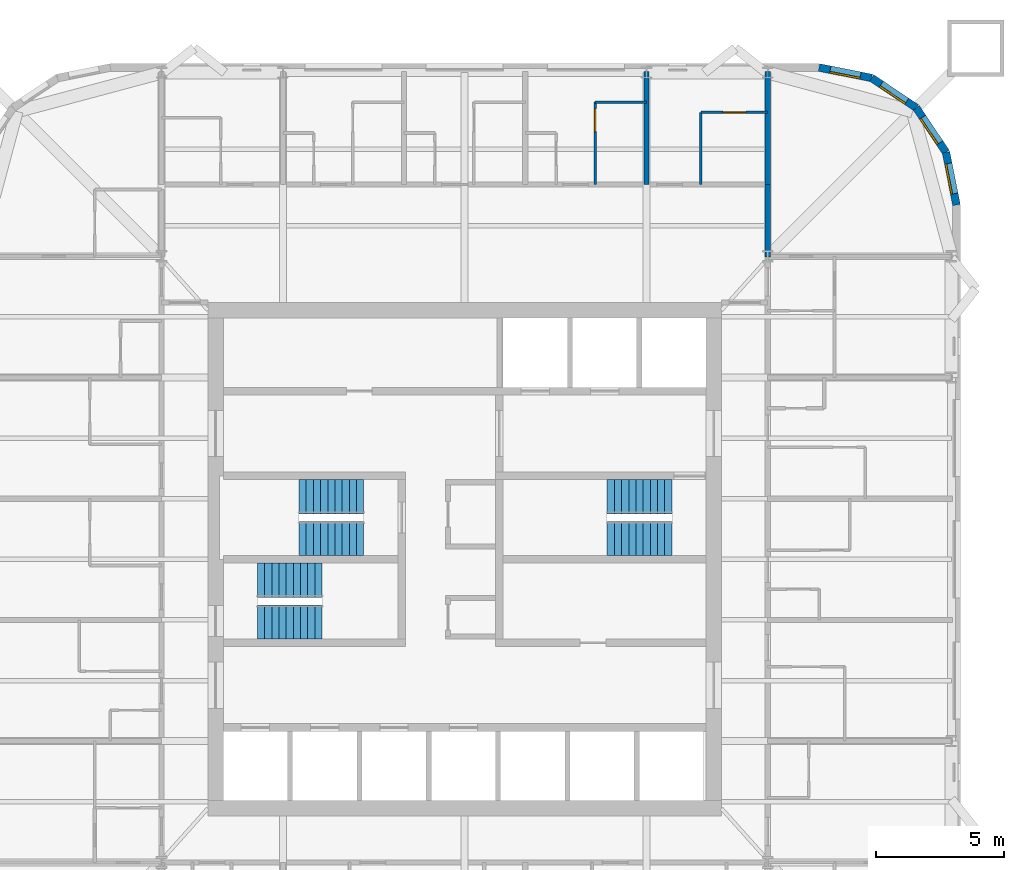
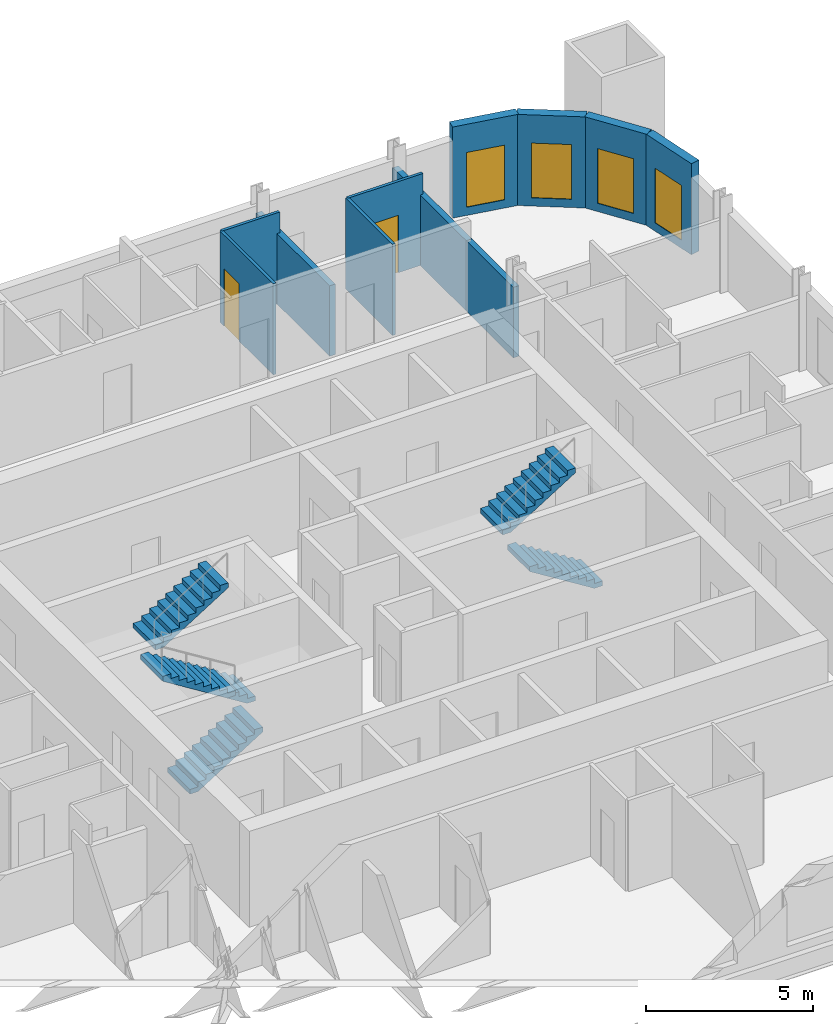
# One storey, part 8 of 9: 11 walls, 6 stair flights, 4 windows, 2 doors, 6 openings, 3 elements without a shape of their own.
"""IFC4 building model written with IfcOpenShell, lengths in metres."""

from ifc_helpers import new_model, si_unit, direction, frame, frame_2d, origin, place, context, subcontext, project, spatial, polyline, rectangle, outline, extrude, material, layer, layer_set, type_object, element, fill, aggregate, save


model = new_model("IFC4")

# Units and contexts
model_context = context("Model", 3, precision=1e-05, world=origin(), true_north=direction((0.0, 1.0)))
body_context = subcontext(model_context, "Body", "Model", "MODEL_VIEW")
ifc_project = project(units=[si_unit("LENGTHUNIT", "METRE"), si_unit("AREAUNIT", "SQUARE_METRE"), si_unit("VOLUMEUNIT", "CUBIC_METRE"), si_unit("PLANEANGLEUNIT", "RADIAN"), si_unit("MASSUNIT", "GRAM", prefix="KILO")], contexts=[model_context])

# Site, building, storey
site_placement = place(None, origin())
site = spatial("IfcSite", under=ifc_project, at=site_placement, CompositionType="ELEMENT")
building_placement = place(site_placement, origin())
building = spatial("IfcBuilding", under=site, at=building_placement, Name="Turquesa Mirador Hotel Tower", CompositionType="ELEMENT")
storey_placement = place(building_placement, frame((0.0, 0.0, 175.800048828125)))
storey = spatial("IfcBuildingStorey", under=building, at=storey_placement, Name="L47", CompositionType="ELEMENT", Elevation=175.800048828125)

# Wall, opening, door
ifc_material_1 = material(Name="Gypsum board on steel studs", Category="steel")
ifc_layer_1 = layer(ifc_material_1, 0.10009765625)
ifc_layer_set_1 = layer_set([ifc_layer_1], Name="BATHROOM WALL 100")
wall_type_1 = type_object("IfcWallType", Name="BATHROOM WALL 100", PredefinedType="PARTITIONING", material=ifc_layer_set_1)
wall_1_placement = place(storey_placement, frame((64.199951171875, 62.39990234375, 0.0), z_axis=(0.0, 0.0, 1.0), x_axis=(1.0, 0.0, 0.0)))
wall_1 = element("IfcWall", 1, at=wall_1_placement, inside=storey, type_object=wall_type_1, Name="Partition L47 035", PredefinedType="PARTITIONING", context=body_context, shape_type="SweptSolid", body=[
    extrude(rectangle(XDim=2.60009765625, YDim=0.10009765625, at=frame_2d((1.300048828125, 0.0))), origin(), (0.0, 0.0, 1.0), 3.329833984375),
])
opening_1_placement = place(wall_1_placement, frame((0.85009765625, 0.0, 0.0)))
opening_1 = element("IfcOpeningElement", 2, at=opening_1_placement, cuts=wall_1, Name="Opening D02", PredefinedType="OPENING", context=body_context, shape_type="SweptSolid", body=[
    extrude(rectangle(XDim=0.89990234375, YDim=2.10009765625, at=frame_2d((0.449951171875, 1.050048828125))), frame((0.0, 0.06005859375, 0.0), z_axis=(0.0, -1.0, 0.0), x_axis=(1.0, 0.0, 0.0)), (0.0, 0.0, 1.0), 0.1201171875),
])
ifc_material_2 = material(Name="Timber veneered door", Category="wood")
door_type = type_object("IfcDoorType", Name="DOOR 900X2100 EN-SUITE", OperationType="SINGLE_SWING_RIGHT", PredefinedType="DOOR", material=ifc_material_2)
door_1_placement = place(opening_1_placement, origin())
door_1 = element("IfcDoor", 3, at=door_1_placement, inside=storey, type_object=door_type, Name="Door 4705B", OperationType="SINGLE_SWING_RIGHT", OverallHeight=2.10009765625, OverallWidth=0.89990234375, PredefinedType="DOOR", context=body_context, shape_type="SweptSolid", body=[
    extrude(rectangle(XDim=0.89990234375, YDim=2.10009765625, at=frame_2d((0.449951171875, 1.050048828125))), frame((0.0, 0.02490234375, 0.0), z_axis=(0.0, -1.0, 0.0), x_axis=(1.0, 0.0, 0.0)), (0.0, 0.0, 1.0), 0.050048828125),
])
fill(opening_1, door_1)

# Wall
wall_2_placement = place(storey_placement, frame((60.080078125, 62.800048828125, 0.0), z_axis=(0.0, 0.0, 1.0), x_axis=(1.0, 0.0, 0.0)))
element("IfcWall", 4, at=wall_2_placement, inside=storey, type_object=wall_type_1, Name="Partition L47 038", PredefinedType="PARTITIONING", context=body_context, shape_type="SweptSolid", body=[
    extrude(rectangle(XDim=2.0, YDim=0.10009765625, at=frame_2d((1.0, 0.0))), origin(), (0.0, 0.0, 1.0), 3.329833984375),
])

# Wall, opening, door
wall_3_placement = place(storey_placement, frame((60.080078125, 59.60009765625, 0.0), z_axis=(0.0, 0.0, 1.0), x_axis=(0.0, 1.0, 0.0)))
wall_3 = element("IfcWall", 5, at=wall_3_placement, inside=storey, type_object=wall_type_1, Name="Partition L47 089", PredefinedType="PARTITIONING", context=body_context, shape_type="SweptSolid", body=[
    extrude(rectangle(XDim=3.199951171875, YDim=0.10009765625, at=frame_2d((1.60009765625, 0.0))), origin(), (0.0, 0.0, 1.0), 3.329833984375),
])
opening_2_placement = place(wall_3_placement, frame((2.050048828125, 0.0, 0.0)))
opening_2 = element("IfcOpeningElement", 6, at=opening_2_placement, cuts=wall_3, Name="Opening D02", PredefinedType="OPENING", context=body_context, shape_type="SweptSolid", body=[
    extrude(rectangle(XDim=0.89990234375, YDim=2.10009765625, at=frame_2d((0.449951171875, 1.050048828125))), frame((0.0, 0.06005859375, 0.0), z_axis=(0.0, -1.0, 0.0), x_axis=(1.0, 0.0, 0.0)), (0.0, 0.0, 1.0), 0.1201171875),
])
door_2_placement = place(opening_2_placement, origin())
door_2 = element("IfcDoor", 7, at=door_2_placement, inside=storey, type_object=door_type, Name="Door 4704B", OperationType="SINGLE_SWING_RIGHT", OverallHeight=2.10009765625, OverallWidth=0.89990234375, PredefinedType="DOOR", context=body_context, shape_type="SweptSolid", body=[
    extrude(rectangle(XDim=0.89990234375, YDim=2.10009765625, at=frame_2d((0.449951171875, 1.050048828125))), frame((0.0, 0.02490234375, 0.0), z_axis=(0.0, -1.0, 0.0), x_axis=(1.0, 0.0, 0.0)), (0.0, 0.0, 1.0), 0.050048828125),
])
fill(opening_2, door_2)

# Walls
wall_4_placement = place(storey_placement, frame((64.199951171875, 59.60009765625, 0.0), z_axis=(0.0, 0.0, 1.0), x_axis=(0.0, 1.0, 0.0)))
element("IfcWall", 8, at=wall_4_placement, inside=storey, type_object=wall_type_1, Name="Partition L47 091", PredefinedType="PARTITIONING", context=body_context, shape_type="SweptSolid", body=[
    extrude(rectangle(XDim=2.7998046875, YDim=0.10009765625, at=frame_2d((1.39990234375, 0.0))), origin(), (0.0, 0.0, 1.0), 3.329833984375),
])
ifc_material_3 = material(Name="Fire-rated gypsum board on steel studs", Category="steel")
ifc_layer_2 = layer(ifc_material_3, 0.199951171875)
ifc_layer_set_2 = layer_set([ifc_layer_2], Name="CORRIDOR WALL 200")
wall_type_2 = type_object("IfcWallType", Name="CORRIDOR WALL 200", PredefinedType="PARTITIONING", material=ifc_layer_set_2)
wall_5_placement = place(storey_placement, frame((66.800048828125, 56.780029296875, 0.0), z_axis=(0.0, 0.0, 1.0), x_axis=(0.0, 1.0, 0.0)))
element("IfcWall", 9, at=wall_5_placement, inside=storey, type_object=wall_type_2, Name="Partition L47 093", PredefinedType="PARTITIONING", context=body_context, shape_type="SweptSolid", body=[
    extrude(rectangle(XDim=2.820068359375, YDim=0.199951171875, at=frame_2d((1.41015625, 0.0))), origin(), (0.0, 0.0, 1.0), 2.572998046875),
])

# Wall, opening, window
ifc_material_4 = material(Name="Limestone cladding on concrete block", Category="masonry")
ifc_layer_3 = layer(ifc_material_4, 0.300048828125)
ifc_layer_set_3 = layer_set([ifc_layer_3], Name="FACADE WALL 300 STONE SCREEN")
wall_type_3 = type_object("IfcWallType", Name="FACADE WALL 300 STONE SCREEN", PredefinedType="SOLIDWALL", material=ifc_layer_set_3)
wall_6_placement = place(storey_placement, frame((74.14990234375, 58.800048828125, 0.0), z_axis=(0.0, 0.0, 1.0), x_axis=(-0.195081421501, 0.980787050784, 0.0)))
wall_6 = element("IfcWall", 10, at=wall_6_placement, inside=storey, type_object=wall_type_3, Name="Facade wall L47 05", PredefinedType="SOLIDWALL", context=body_context, shape_type="SweptSolid", body=[
    extrude(rectangle(XDim=2.08740234375, YDim=0.300048828125, at=frame_2d((1.043701171875, 0.0))), origin(), (0.0, 0.0, 1.0), 3.329833984375),
])
opening_3_placement = place(wall_6_placement, frame((0.443603515625, 0.0, 0.300048828125)))
opening_3 = element("IfcOpeningElement", 11, at=opening_3_placement, cuts=wall_6, Name="Opening WN4", PredefinedType="OPENING", context=body_context, shape_type="SweptSolid", body=[
    extrude(rectangle(XDim=1.199951171875, YDim=2.0, at=frame_2d((0.60009765625, 1.0))), frame((0.0, 0.159912109375, 0.0), z_axis=(0.0, -1.0, 0.0), x_axis=(1.0, 0.0, 0.0)), (0.0, 0.0, 1.0), 0.320068359375),
])
ifc_material_5 = material(Name="Ceramic-fritted laminated glass", Category="glass")
window_type = type_object("IfcWindowType", Name="FRITTED CORNER WINDOW 1200X2000", PartitioningType="DOUBLE_PANEL_HORIZONTAL", PredefinedType="WINDOW", material=ifc_material_5)
window_1_placement = place(opening_3_placement, origin())
window_1 = element("IfcWindow", 12, at=window_1_placement, inside=storey, type_object=window_type, Name="Window L47", OverallHeight=2.0, OverallWidth=1.199951171875, PartitioningType="SINGLE_PANEL", PredefinedType="WINDOW", context=body_context, shape_type="SweptSolid", body=[
    extrude(rectangle(XDim=1.199951171875, YDim=2.0, at=frame_2d((0.60009765625, 1.0))), frame((0.0, 0.130126953125, 0.0), z_axis=(0.0, -1.0, 0.0), x_axis=(1.0, 0.0, 0.0)), (0.0, 0.0, 1.0), 0.06005859375),
])
fill(opening_3, window_1)

wall_7_placement = place(storey_placement, frame((73.74267578125, 60.847412109375, 0.0), z_axis=(0.0, 0.0, 1.0), x_axis=(-0.555563607591, 0.831474039234, 0.0)))
wall_7 = element("IfcWall", 13, at=wall_7_placement, inside=storey, type_object=wall_type_3, Name="Facade wall L47 06", PredefinedType="SOLIDWALL", context=body_context, shape_type="SweptSolid", body=[
    extrude(rectangle(XDim=2.08740234375, YDim=0.300048828125, at=frame_2d((1.043701171875, 0.0))), origin(), (0.0, 0.0, 1.0), 3.329833984375),
])
opening_4_placement = place(wall_7_placement, frame((0.443603515625, 0.0, 0.300048828125)))
opening_4 = element("IfcOpeningElement", 14, at=opening_4_placement, cuts=wall_7, Name="Opening WN4", PredefinedType="OPENING", context=body_context, shape_type="SweptSolid", body=[
    extrude(rectangle(XDim=1.199951171875, YDim=2.0, at=frame_2d((0.60009765625, 1.0))), frame((0.0, 0.159912109375, 0.0), z_axis=(0.0, -1.0, 0.0), x_axis=(1.0, 0.0, 0.0)), (0.0, 0.0, 1.0), 0.320068359375),
])
window_2_placement = place(opening_4_placement, origin())
window_2 = element("IfcWindow", 15, at=window_2_placement, inside=storey, type_object=window_type, Name="Window L47", OverallHeight=2.0, OverallWidth=1.199951171875, PartitioningType="SINGLE_PANEL", PredefinedType="WINDOW", context=body_context, shape_type="SweptSolid", body=[
    extrude(rectangle(XDim=1.199951171875, YDim=2.0, at=frame_2d((0.60009765625, 1.0))), frame((0.0, 0.130126953125, 0.0), z_axis=(0.0, -1.0, 0.0), x_axis=(1.0, 0.0, 0.0)), (0.0, 0.0, 1.0), 0.06005859375),
])
fill(opening_4, window_2)

wall_8_placement = place(storey_placement, frame((72.5830078125, 62.5830078125, 0.0), z_axis=(0.0, 0.0, 1.0), x_axis=(-0.831474039234, 0.555563607591, 0.0)))
wall_8 = element("IfcWall", 16, at=wall_8_placement, inside=storey, type_object=wall_type_3, Name="Facade wall L47 07", PredefinedType="SOLIDWALL", context=body_context, shape_type="SweptSolid", body=[
    extrude(rectangle(XDim=2.08740234375, YDim=0.300048828125, at=frame_2d((1.043701171875, 0.0))), origin(), (0.0, 0.0, 1.0), 3.329833984375),
])
opening_5_placement = place(wall_8_placement, frame((0.443603515625, 0.0, 0.300048828125)))
opening_5 = element("IfcOpeningElement", 17, at=opening_5_placement, cuts=wall_8, Name="Opening WN4", PredefinedType="OPENING", context=body_context, shape_type="SweptSolid", body=[
    extrude(rectangle(XDim=1.199951171875, YDim=2.0, at=frame_2d((0.60009765625, 1.0))), frame((0.0, 0.159912109375, 0.0), z_axis=(0.0, -1.0, 0.0), x_axis=(1.0, 0.0, 0.0)), (0.0, 0.0, 1.0), 0.320068359375),
])
window_3_placement = place(opening_5_placement, origin())
window_3 = element("IfcWindow", 18, at=window_3_placement, inside=storey, type_object=window_type, Name="Window L47", OverallHeight=2.0, OverallWidth=1.199951171875, PartitioningType="SINGLE_PANEL", PredefinedType="WINDOW", context=body_context, shape_type="SweptSolid", body=[
    extrude(rectangle(XDim=1.199951171875, YDim=2.0, at=frame_2d((0.60009765625, 1.0))), frame((0.0, 0.130126953125, 0.0), z_axis=(0.0, -1.0, 0.0), x_axis=(1.0, 0.0, 0.0)), (0.0, 0.0, 1.0), 0.06005859375),
])
fill(opening_5, window_3)

wall_9_placement = place(storey_placement, frame((70.847412109375, 63.74267578125, 0.0), z_axis=(0.0, 0.0, 1.0), x_axis=(-0.980787050784, 0.195081421501, 0.0)))
wall_9 = element("IfcWall", 19, at=wall_9_placement, inside=storey, type_object=wall_type_3, Name="Facade wall L47 08", PredefinedType="SOLIDWALL", context=body_context, shape_type="SweptSolid", body=[
    extrude(rectangle(XDim=2.08740234375, YDim=0.300048828125, at=frame_2d((1.043701171875, 0.0))), origin(), (0.0, 0.0, 1.0), 3.329833984375),
])
opening_6_placement = place(wall_9_placement, frame((0.443603515625, 0.0, 0.300048828125)))
opening_6 = element("IfcOpeningElement", 20, at=opening_6_placement, cuts=wall_9, Name="Opening WN4", PredefinedType="OPENING", context=body_context, shape_type="SweptSolid", body=[
    extrude(rectangle(XDim=1.199951171875, YDim=2.0, at=frame_2d((0.60009765625, 1.0))), frame((0.0, 0.159912109375, 0.0), z_axis=(0.0, -1.0, 0.0), x_axis=(1.0, 0.0, 0.0)), (0.0, 0.0, 1.0), 0.320068359375),
])
window_4_placement = place(opening_6_placement, origin())
window_4 = element("IfcWindow", 21, at=window_4_placement, inside=storey, type_object=window_type, Name="Window L47", OverallHeight=2.0, OverallWidth=1.199951171875, PartitioningType="SINGLE_PANEL", PredefinedType="WINDOW", context=body_context, shape_type="SweptSolid", body=[
    extrude(rectangle(XDim=1.199951171875, YDim=2.0, at=frame_2d((0.60009765625, 1.0))), frame((0.0, 0.130126953125, 0.0), z_axis=(0.0, -1.0, 0.0), x_axis=(1.0, 0.0, 0.0)), (0.0, 0.0, 1.0), 0.06005859375),
])
fill(opening_6, window_4)

# Walls
ifc_material_6 = material(Name="Fire-rated gypsum board on steel studs", Category="steel")
ifc_layer_4 = layer(ifc_material_6, 0.199951171875)
ifc_layer_set_4 = layer_set([ifc_layer_4], Name="PARTY WALL 200")
wall_type_4 = type_object("IfcWallType", Name="PARTY WALL 200", PredefinedType="PARTITIONING", material=ifc_layer_set_4)
for number, where, z_axis, x_axis, name in (
    (22, (66.800048828125, 59.60009765625, 0.0), (0.0, 0.0, 1.0), (0.0, 1.0, 0.0), "Partition L47 075"),
    (23, (62.080078125, 59.60009765625, 0.0), (0.0, 0.0, 1.0), (0.0, 1.0, 0.0), "Partition L47 090"),
):
    element("IfcWall", number, at=place(storey_placement, frame(where, z_axis=z_axis, x_axis=x_axis)), inside=storey, type_object=wall_type_4, Name=name, PredefinedType="PARTITIONING", context=body_context, shape_type="SweptSolid", body=[
        extrude(rectangle(XDim=4.39990234375, YDim=0.199951171875, at=frame_2d((2.199951171875, 0.0))), origin(), (0.0, 0.0, 1.0), 2.572998046875),
    ])

# Stair, stair flights
ifc_material_7 = material(Name="Concrete C35/45", Category="concrete")
stair_type = type_object("IfcStairType", Name="ESCAPE STAIR CORE", PredefinedType="HALF_TURN_STAIR", material=ifc_material_7)
stair_1_placement = place(storey_placement, origin())
stair_1 = element("IfcStair", 24, at=stair_1_placement, inside=storey, type_object=stair_type, Name="Stair ST1 L47 to L48", PredefinedType="HALF_TURN_STAIR")
ifc_material_8 = material(Name="Concrete C35/45 precast flight", Category="concrete")
stair_flight_type = type_object("IfcStairFlightType", Name="STAIR FLIGHT 1330", PredefinedType="STRAIGHT", material=ifc_material_8)
stair_flight_1_placement = place(storey_placement, frame((51.070068359375, 45.81494140625, 0.0), z_axis=(0.0, 0.0, 1.0), x_axis=(-1.0, 0.0, 0.0)))
stair_flight_1 = element("IfcStairFlight", 25, at=stair_flight_1_placement, type_object=stair_flight_type, Name="ST1 flight 1", NumberOfRisers=10, NumberOfTreads=9, PredefinedType="STRAIGHT", RiserHeight=0.175, TreadLength=0.28, context=body_context, shape_type="SweptSolid", body=[
    extrude(outline(polyline([(0.0, 0.0), (0.0, 0.175048828125), (0.280029296875, 0.175048828125), (0.280029296875, 0.35009765625), (0.56005859375, 0.35009765625), (0.56005859375, 0.52490234375), (0.840087890625, 0.52490234375), (0.840087890625, 0.699951171875), (1.1201171875, 0.699951171875), (1.1201171875, 0.875), (1.39990234375, 0.875), (1.39990234375, 1.050048828125), (1.679931640625, 1.050048828125), (1.679931640625, 1.22509765625), (1.9599609375, 1.22509765625), (1.9599609375, 1.39990234375), (2.239990234375, 1.39990234375), (2.239990234375, 1.574951171875), (2.52001953125, 1.574951171875), (2.52001953125, 1.75), (2.52001953125, 1.398193359375), (0.28271484375, 0.0), (0.0, 0.0)])), frame((0.0, 0.6650390625, 0.0), z_axis=(0.0, -1.0, 0.0), x_axis=(1.0, 0.0, 0.0)), (0.0, 0.0, 1.0), 1.330078125),
])
stair_flight_2_placement = place(storey_placement, frame((48.550048828125, 47.43505859375, 1.75), z_axis=(0.0, 0.0, 1.0), x_axis=(1.0, 0.0, 0.0)))
stair_flight_2 = element("IfcStairFlight", 26, at=stair_flight_2_placement, type_object=stair_flight_type, Name="ST1 flight 2", NumberOfRisers=10, NumberOfTreads=9, PredefinedType="STRAIGHT", RiserHeight=0.175, TreadLength=0.28, context=body_context, shape_type="SweptSolid", body=[
    extrude(outline(polyline([(0.0, 0.0), (0.0, 0.175048828125), (0.280029296875, 0.175048828125), (0.280029296875, 0.35009765625), (0.56005859375, 0.35009765625), (0.56005859375, 0.52490234375), (0.840087890625, 0.52490234375), (0.840087890625, 0.699951171875), (1.1201171875, 0.699951171875), (1.1201171875, 0.875), (1.39990234375, 0.875), (1.39990234375, 1.050048828125), (1.679931640625, 1.050048828125), (1.679931640625, 1.22509765625), (1.9599609375, 1.22509765625), (1.9599609375, 1.39990234375), (2.239990234375, 1.39990234375), (2.239990234375, 1.574951171875), (2.52001953125, 1.574951171875), (2.52001953125, 1.75), (2.52001953125, 1.398193359375), (0.28271484375, 0.0), (0.0, 0.0)])), frame((0.0, 0.6650390625, 0.0), z_axis=(0.0, -1.0, 0.0), x_axis=(1.0, 0.0, 0.0)), (0.0, 0.0, 1.0), 1.330078125),
])
aggregate(stair_1, [stair_flight_1, stair_flight_2])

stair_2_placement = place(storey_placement, origin())
stair_2 = element("IfcStair", 27, at=stair_2_placement, inside=storey, type_object=stair_type, Name="Stair ST2 L47 to L48", PredefinedType="HALF_TURN_STAIR")
stair_flight_3_placement = place(storey_placement, frame((46.929931640625, 42.56494140625, 0.0), z_axis=(0.0, 0.0, 1.0), x_axis=(1.0, 0.0, 0.0)))
stair_flight_3 = element("IfcStairFlight", 28, at=stair_flight_3_placement, type_object=stair_flight_type, Name="ST2 flight 1", NumberOfRisers=10, NumberOfTreads=9, PredefinedType="STRAIGHT", RiserHeight=0.175, TreadLength=0.28, context=body_context, shape_type="SweptSolid", body=[
    extrude(outline(polyline([(0.0, 0.0), (0.0, 0.175048828125), (0.280029296875, 0.175048828125), (0.280029296875, 0.35009765625), (0.56005859375, 0.35009765625), (0.56005859375, 0.52490234375), (0.840087890625, 0.52490234375), (0.840087890625, 0.699951171875), (1.1201171875, 0.699951171875), (1.1201171875, 0.875), (1.39990234375, 0.875), (1.39990234375, 1.050048828125), (1.679931640625, 1.050048828125), (1.679931640625, 1.22509765625), (1.9599609375, 1.22509765625), (1.9599609375, 1.39990234375), (2.239990234375, 1.39990234375), (2.239990234375, 1.574951171875), (2.52001953125, 1.574951171875), (2.52001953125, 1.75), (2.52001953125, 1.398193359375), (0.28271484375, 0.0), (0.0, 0.0)])), frame((0.0, 0.6650390625, 0.0), z_axis=(0.0, -1.0, 0.0), x_axis=(1.0, 0.0, 0.0)), (0.0, 0.0, 1.0), 1.330078125),
])
stair_flight_4_placement = place(storey_placement, frame((49.449951171875, 44.18505859375, 1.75), z_axis=(0.0, 0.0, 1.0), x_axis=(-1.0, 0.0, 0.0)))
stair_flight_4 = element("IfcStairFlight", 29, at=stair_flight_4_placement, type_object=stair_flight_type, Name="ST2 flight 2", NumberOfRisers=10, NumberOfTreads=9, PredefinedType="STRAIGHT", RiserHeight=0.175, TreadLength=0.28, context=body_context, shape_type="SweptSolid", body=[
    extrude(outline(polyline([(0.0, 0.0), (0.0, 0.175048828125), (0.280029296875, 0.175048828125), (0.280029296875, 0.35009765625), (0.56005859375, 0.35009765625), (0.56005859375, 0.52490234375), (0.840087890625, 0.52490234375), (0.840087890625, 0.699951171875), (1.1201171875, 0.699951171875), (1.1201171875, 0.875), (1.39990234375, 0.875), (1.39990234375, 1.050048828125), (1.679931640625, 1.050048828125), (1.679931640625, 1.22509765625), (1.9599609375, 1.22509765625), (1.9599609375, 1.39990234375), (2.239990234375, 1.39990234375), (2.239990234375, 1.574951171875), (2.52001953125, 1.574951171875), (2.52001953125, 1.75), (2.52001953125, 1.398193359375), (0.28271484375, 0.0), (0.0, 0.0)])), frame((0.0, 0.6650390625, 0.0), z_axis=(0.0, -1.0, 0.0), x_axis=(1.0, 0.0, 0.0)), (0.0, 0.0, 1.0), 1.330078125),
])
aggregate(stair_2, [stair_flight_3, stair_flight_4])

stair_3_placement = place(storey_placement, origin())
stair_3 = element("IfcStair", 30, at=stair_3_placement, inside=storey, type_object=stair_type, Name="Stair ST3 L47 to L48", PredefinedType="HALF_TURN_STAIR")
stair_flight_5_placement = place(storey_placement, frame((63.070068359375, 45.81494140625, 0.0), z_axis=(0.0, 0.0, 1.0), x_axis=(-1.0, 0.0, 0.0)))
stair_flight_5 = element("IfcStairFlight", 31, at=stair_flight_5_placement, type_object=stair_flight_type, Name="ST3 flight 1", NumberOfRisers=10, NumberOfTreads=9, PredefinedType="STRAIGHT", RiserHeight=0.175, TreadLength=0.28, context=body_context, shape_type="SweptSolid", body=[
    extrude(outline(polyline([(0.0, 0.0), (0.0, 0.175048828125), (0.280029296875, 0.175048828125), (0.280029296875, 0.35009765625), (0.56005859375, 0.35009765625), (0.56005859375, 0.52490234375), (0.840087890625, 0.52490234375), (0.840087890625, 0.699951171875), (1.1201171875, 0.699951171875), (1.1201171875, 0.875), (1.39990234375, 0.875), (1.39990234375, 1.050048828125), (1.679931640625, 1.050048828125), (1.679931640625, 1.22509765625), (1.9599609375, 1.22509765625), (1.9599609375, 1.39990234375), (2.239990234375, 1.39990234375), (2.239990234375, 1.574951171875), (2.52001953125, 1.574951171875), (2.52001953125, 1.75), (2.52001953125, 1.398193359375), (0.28271484375, 0.0), (0.0, 0.0)])), frame((0.0, 0.6650390625, 0.0), z_axis=(0.0, -1.0, 0.0), x_axis=(1.0, 0.0, 0.0)), (0.0, 0.0, 1.0), 1.330078125),
])
stair_flight_6_placement = place(storey_placement, frame((60.550048828125, 47.43505859375, 1.75), z_axis=(0.0, 0.0, 1.0), x_axis=(1.0, 0.0, 0.0)))
stair_flight_6 = element("IfcStairFlight", 32, at=stair_flight_6_placement, type_object=stair_flight_type, Name="ST3 flight 2", NumberOfRisers=10, NumberOfTreads=9, PredefinedType="STRAIGHT", RiserHeight=0.175, TreadLength=0.28, context=body_context, shape_type="SweptSolid", body=[
    extrude(outline(polyline([(0.0, 0.0), (0.0, 0.175048828125), (0.280029296875, 0.175048828125), (0.280029296875, 0.35009765625), (0.56005859375, 0.35009765625), (0.56005859375, 0.52490234375), (0.840087890625, 0.52490234375), (0.840087890625, 0.699951171875), (1.1201171875, 0.699951171875), (1.1201171875, 0.875), (1.39990234375, 0.875), (1.39990234375, 1.050048828125), (1.679931640625, 1.050048828125), (1.679931640625, 1.22509765625), (1.9599609375, 1.22509765625), (1.9599609375, 1.39990234375), (2.239990234375, 1.39990234375), (2.239990234375, 1.574951171875), (2.52001953125, 1.574951171875), (2.52001953125, 1.75), (2.52001953125, 1.398193359375), (0.28271484375, 0.0), (0.0, 0.0)])), frame((0.0, 0.6650390625, 0.0), z_axis=(0.0, -1.0, 0.0), x_axis=(1.0, 0.0, 0.0)), (0.0, 0.0, 1.0), 1.330078125),
])
aggregate(stair_3, [stair_flight_5, stair_flight_6])

save(model, "model.ifc")
